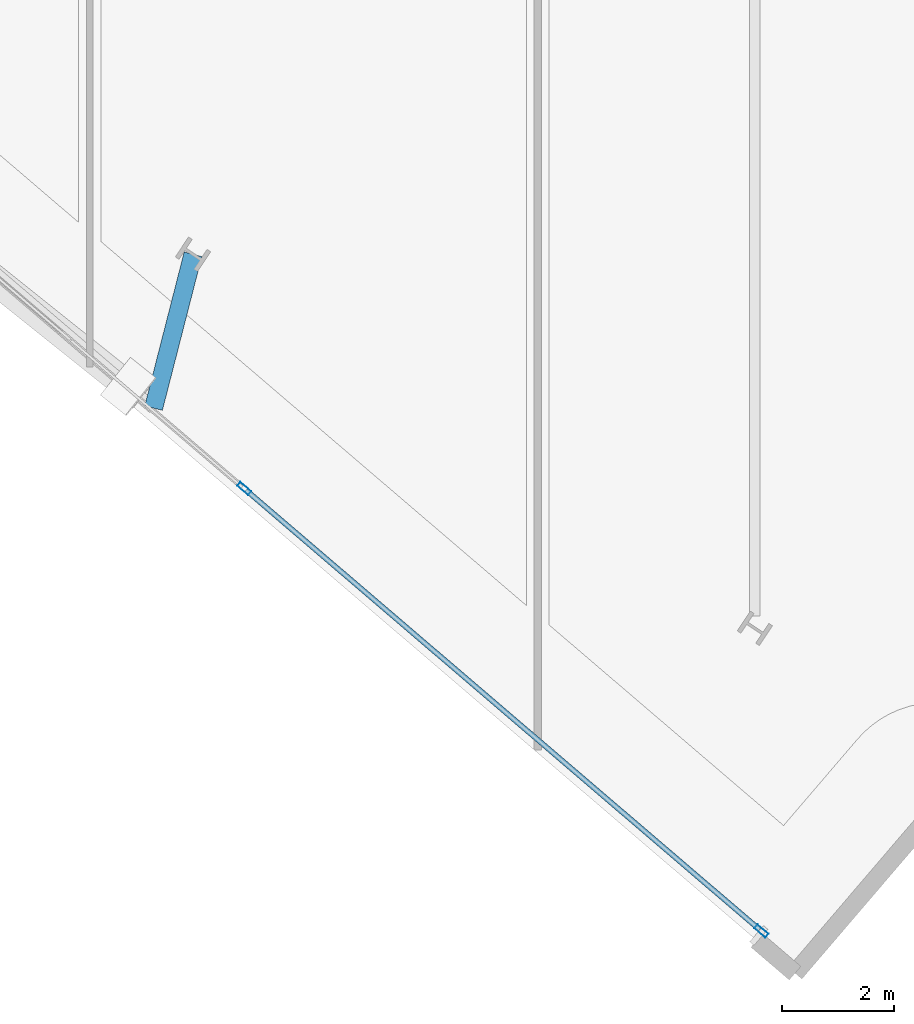
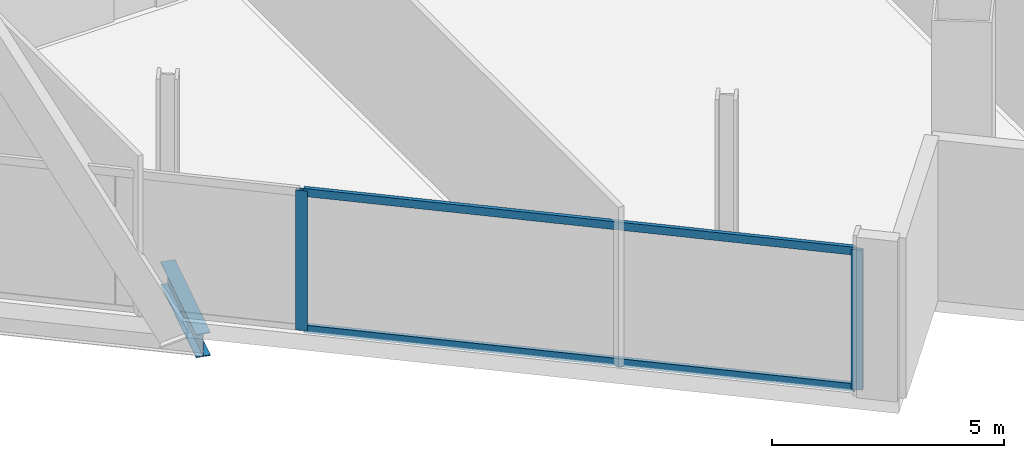
# One storey, part 2 of 26: 4 members, 1 beam, 1 element without a shape of its own.
"""IFC4 building model written with IfcOpenShell, lengths in metres."""

from ifc_helpers import new_model, si_unit, direction, frame, origin, origin_2d, place, context, subcontext, project, spatial, hollow_rectangle, i_section, extrude, material, material_profile, profile_set, type_object, element, aggregate, save


model = new_model("IFC4")

# Units and contexts
model_context = context("Model", 3, precision=1e-05, world=origin(), true_north=direction((0.0, 1.0)))
body_context = subcontext(model_context, "Body", "Model", "MODEL_VIEW")
ifc_project = project(units=[si_unit("LENGTHUNIT", "METRE"), si_unit("AREAUNIT", "SQUARE_METRE"), si_unit("VOLUMEUNIT", "CUBIC_METRE"), si_unit("PLANEANGLEUNIT", "RADIAN"), si_unit("MASSUNIT", "GRAM", prefix="KILO")], contexts=[model_context])

# Site, building, storey
site_placement = place(None, origin())
site = spatial("IfcSite", under=ifc_project, at=site_placement, CompositionType="ELEMENT")
building_placement = place(site_placement, origin())
building = spatial("IfcBuilding", under=site, at=building_placement, Name="Haldenkirk Collegiate Tower", CompositionType="ELEMENT")
storey_placement = place(building_placement, frame((0.0, 0.0, 193.949951171875)))
storey = spatial("IfcBuildingStorey", under=building, at=storey_placement, Name="L48", CompositionType="ELEMENT", Elevation=193.949951171875)

# Beam
ifc_material_1 = material(Name="Steel ASTM A992 Grade 50", Category="steel")
ifc_material_profile_1 = material_profile(ifc_material_1, i_section(OverallWidth=0.324951171875, OverallDepth=0.615966796875, WebThickness=0.013916015625, FlangeThickness=0.021484375, at=origin_2d()), Name="W24X117")
ifc_profile_set_1 = profile_set([ifc_material_profile_1], Name="Steel ASTM A992 Grade 50")
beam_type = type_object("IfcBeamType", Name="BM-GIRDER-W24X117", PredefinedType="BEAM", material=ifc_profile_set_1)
beam_placement = place(storey_placement, frame((24.34326171875, 7.63134765625, -0.718017578125), z_axis=(-0.248224129131, -0.968702628115, 0.0), x_axis=(0.968702628115, -0.248224129131, 0.0)))
element("IfcBeam", 1, at=beam_placement, inside=storey, type_object=beam_type, Name="L48 facade lookout girder 15", PredefinedType="BEAM", context=body_context, shape_type="SweptSolid", body=[
    extrude(i_section(OverallWidth=0.324951171875, OverallDepth=0.615966796875, WebThickness=0.013916015625, FlangeThickness=0.021484375, at=origin_2d()), origin(), (0.0, 0.0, 1.0), 2.835693359375),
])

# Curtain wall, members
ifc_material_2 = material(Name="Anodised architectural bronze aluminium", Category="aluminium")
curtain_wall_type = type_object("IfcCurtainWallType", Name="CW-SYS4-SKYGARDEN", PredefinedType="USERDEFINED", material=ifc_material_2)
curtain_wall_placement = place(storey_placement, origin())
curtain_wall = element("IfcCurtainWall", 2, at=curtain_wall_placement, inside=storey, type_object=curtain_wall_type, Name="L48 Sky-garden tall bronze curtain wall", ObjectType="UNITISED CURTAIN WALL", PredefinedType="USERDEFINED")
ifc_material_profile_2 = material_profile(ifc_material_2, hollow_rectangle(XDim=0.090087890625, YDim=0.260009765625, WallThickness=0.0048828125, at=origin_2d()), Name="CW-MUL-04")
ifc_profile_set_2 = profile_set([ifc_material_profile_2], Name="Anodised architectural bronze aluminium")
member_type_1 = type_object("IfcMemberType", Name="CW-MUL-04", PredefinedType="MULLION", material=ifc_profile_set_2)
member_1_placement = place(storey_placement, frame((34.493896484375, -4.455078125, 0.0), z_axis=(0.0, 0.0, 1.0), x_axis=(-0.650113163613, -0.759837400038, 0.0)))
member_1 = element("IfcMember", 3, at=member_1_placement, type_object=member_type_1, Name="CW-04 mullion 1", PredefinedType="MULLION", context=body_context, shape_type="SweptSolid", body=[
    extrude(hollow_rectangle(XDim=0.090087890625, YDim=0.260009765625, WallThickness=0.0048828125, at=origin_2d()), origin(), (0.0, 0.0, 1.0), 3.677978515625),
])
member_2_placement = place(storey_placement, frame((25.25830078125, 3.447021484375, 0.0), z_axis=(0.0, 0.0, 1.0), x_axis=(-0.650113163613, -0.759837400038, 0.0)))
member_2 = element("IfcMember", 4, at=member_2_placement, type_object=member_type_1, Name="CW-04 mullion 2", PredefinedType="MULLION", context=body_context, shape_type="SweptSolid", body=[
    extrude(hollow_rectangle(XDim=0.090087890625, YDim=0.260009765625, WallThickness=0.0048828125, at=origin_2d()), origin(), (0.0, 0.0, 1.0), 3.677978515625),
])
ifc_material_profile_3 = material_profile(ifc_material_2, hollow_rectangle(XDim=0.090087890625, YDim=0.2099609375, WallThickness=0.0048828125, at=origin_2d()), Name="CW-TRN-04")
ifc_profile_set_3 = profile_set([ifc_material_profile_3], Name="Anodised architectural bronze aluminium")
member_type_2 = type_object("IfcMemberType", Name="CW-TRN-04", PredefinedType="USERDEFINED", material=ifc_profile_set_3)
member_3_placement = place(storey_placement, frame((34.459716796875, -4.42578125, 0.045166015625), z_axis=(-0.759834808772, 0.650116192213, 0.0), x_axis=(-0.650116192213, -0.759834808772, 0.0)))
member_3 = element("IfcMember", 5, at=member_3_placement, type_object=member_type_2, Name="CW-04 transom 1.1", ObjectType="TRANSOM", PredefinedType="USERDEFINED", context=body_context, shape_type="SweptSolid", body=[
    extrude(hollow_rectangle(XDim=0.090087890625, YDim=0.2099609375, WallThickness=0.0048828125, at=origin_2d()), origin(), (0.0, 0.0, 1.0), 12.064697265625),
])
member_4_placement = place(storey_placement, frame((34.459716796875, -4.42578125, 3.633056640625), z_axis=(-0.759834808772, 0.650116192213, 0.0), x_axis=(-0.650116192213, -0.759834808772, 0.0)))
member_4 = element("IfcMember", 6, at=member_4_placement, type_object=member_type_2, Name="CW-04 transom 1.2", ObjectType="TRANSOM", PredefinedType="USERDEFINED", context=body_context, shape_type="SweptSolid", body=[
    extrude(hollow_rectangle(XDim=0.090087890625, YDim=0.2099609375, WallThickness=0.0048828125, at=origin_2d()), origin(), (0.0, 0.0, 1.0), 12.064697265625),
])
aggregate(curtain_wall, [member_1, member_2, member_3, member_4])

save(model, "model.ifc")
